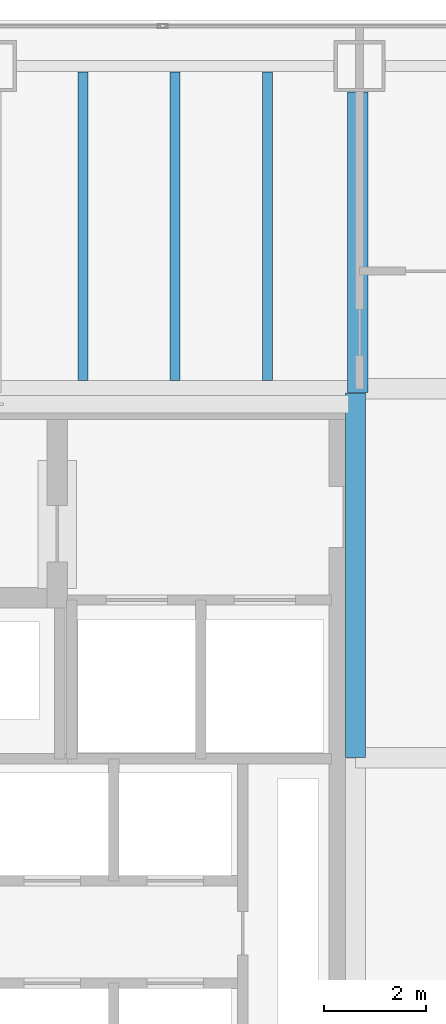
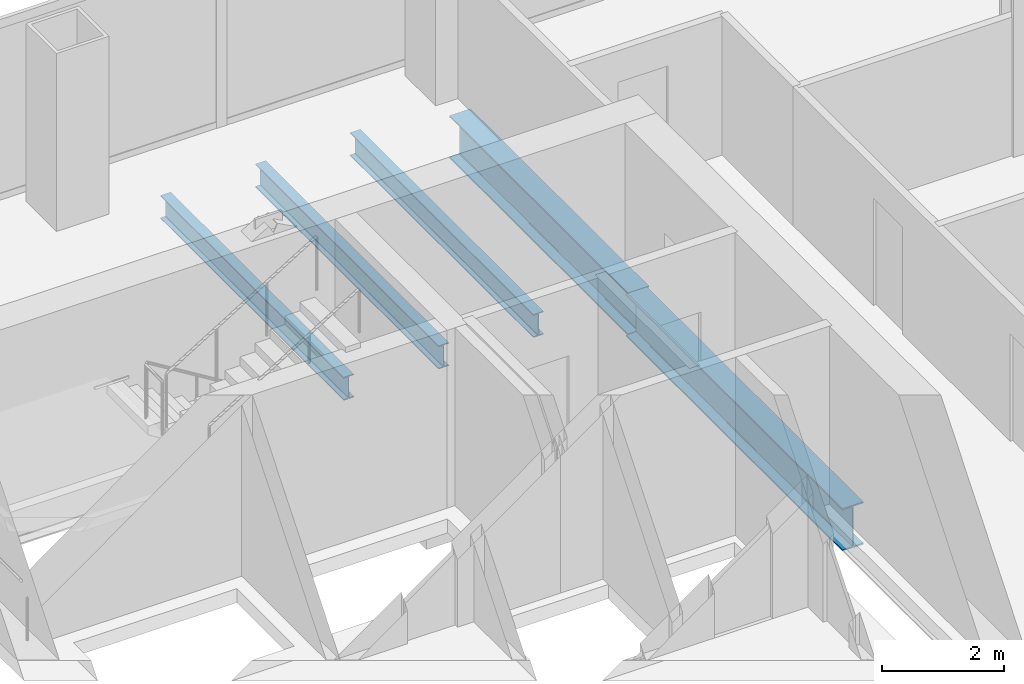
# One storey, part 15 of 23: 5 beams.
"""IFC4 building model written with IfcOpenShell, lengths in metres."""

import ifcopenshell
import ifcopenshell.guid

model = None  # the IFC model being written
_history = None  # IfcOwnerHistory: only IFC2X3 demands one
_inside = {}  # id of a spatial element -> (the spatial element, [elements in it])
_under = {}  # id of a project, library or spatial element -> (it, [spatial elements below it])
_declared = {}  # id of a project -> (the project, [libraries it declares])
_typed = {}  # id of a type object -> (the type object, [elements of that type])
_made_of = {}  # id of a material, layer set ... -> (it, [elements and type objects made of it])


def new_model(schema):
    """Start an empty IFC model of exactly this schema.

    Asked for "IFC4X3", IfcOpenShell would pick the latest addendum, in which some entities
    have other attributes; the version numbers below select the first issue.
    IFC2X3 requires an IfcOwnerHistory on every rooted entity: one is made here for all.
    """
    global model, _history
    if schema == "IFC4X3":
        model = ifcopenshell.file(schema_version=(4, 3, 0, 0))
    else:
        model = ifcopenshell.file(schema=schema)
    _inside.clear()
    _under.clear()
    _declared.clear()
    _typed.clear()
    _made_of.clear()
    _history = None
    if model.schema == "IFC2X3":
        org = make("IfcOrganization", Name="unknown")
        user = make(
            "IfcPersonAndOrganization",
            ThePerson=make("IfcPerson", FamilyName="unknown"),
            TheOrganization=org,
        )
        app = make(
            "IfcApplication",
            ApplicationDeveloper=org,
            Version="unknown",
            ApplicationFullName="unknown",
            ApplicationIdentifier="unknown",
        )
        _history = make(
            "IfcOwnerHistory",
            OwningUser=user,
            OwningApplication=app,
            ChangeAction="ADDED",
            CreationDate=0,
        )
    return model


def make(cls, **values):
    """One entity of the class cls with the attributes given. An attribute that is None is left unset."""
    return model.create_entity(
        cls, **{name: value for name, value in values.items() if value is not None}
    )


def rooted(cls, **values):
    """An entity with a GlobalId (a new one), such as an element, a storey or a relation."""
    return make(cls, GlobalId=ifcopenshell.guid.new(), OwnerHistory=_history, **values)


def si_unit(unit_type, name, prefix=None):
    """IfcSIUnit, for example si_unit("LENGTHUNIT", "METRE", prefix="MILLI")."""
    return make("IfcSIUnit", UnitType=unit_type, Prefix=prefix, Name=name)


def assignment(units):
    """IfcUnitAssignment: the units of a project."""
    return None if units is None else make("IfcUnitAssignment", Units=units)


def point(xyz):
    """IfcCartesianPoint."""
    return None if xyz is None else make("IfcCartesianPoint", Coordinates=xyz)


def direction(xyz):
    """IfcDirection."""
    return None if xyz is None else make("IfcDirection", DirectionRatios=xyz)


def frame(location, z_axis=None, x_axis=None):
    """IfcAxis2Placement3D, a coordinate frame: its origin and axes. An axis left out is left unset."""
    return make(
        "IfcAxis2Placement3D",
        Location=point(location),
        Axis=direction(z_axis),
        RefDirection=direction(x_axis),
    )


def frame_2d(location, x_axis=None):
    """IfcAxis2Placement2D, a coordinate frame in the plane: its origin and x axis."""
    return make(
        "IfcAxis2Placement2D", Location=point(location), RefDirection=direction(x_axis)
    )


def origin():
    """The frame at (0, 0, 0) with its axes left unset."""
    return frame((0.0, 0.0, 0.0))


def origin_2d():
    """The frame at (0, 0) in the plane with its x axis left unset."""
    return frame_2d((0.0, 0.0))


def place(relative_to, where):
    """IfcLocalPlacement: puts the frame where relative to a parent placement (None: the world)."""
    return make(
        "IfcLocalPlacement", PlacementRelTo=relative_to, RelativePlacement=where
    )


def context(
    kind, dimensions, precision=None, world=None, true_north=None, identifier=None
):
    """IfcGeometricRepresentationContext, for example the 3D "Model" context."""
    return make(
        "IfcGeometricRepresentationContext",
        ContextIdentifier=identifier,
        ContextType=kind,
        CoordinateSpaceDimension=dimensions,
        Precision=precision,
        WorldCoordinateSystem=world,
        TrueNorth=true_north,
    )


def subcontext(parent, identifier, kind, view, scale=None):
    """IfcGeometricRepresentationSubContext, for example "Body" below "Model"."""
    return make(
        "IfcGeometricRepresentationSubContext",
        ContextIdentifier=identifier,
        ContextType=kind,
        ParentContext=parent,
        TargetScale=scale,
        TargetView=view,
    )


def project(units=None, contexts=None):
    """IfcProject with its units and contexts."""
    return rooted(
        "IfcProject",
        Name="project",
        RepresentationContexts=contexts,
        UnitsInContext=assignment(units),
    )


def spatial(cls, under=None, at=None, **own):
    """A site, building, storey or space (cls), placed at a placement, below another one or the project."""
    s = rooted(cls, ObjectPlacement=at, **own)
    if under is not None:
        _under.setdefault(under.id(), (under, []))[1].append(s)
    return s


def profile(cls, at=None, kind="AREA", **sizes):
    """A parametric profile (cls). Its sizes go by their IFC names, for example OverallWidth=200.0."""
    return make(cls, ProfileType=kind, Position=at, **sizes)


def i_section(**sizes):
    """IfcIShapeProfileDef."""
    return profile("IfcIShapeProfileDef", **sizes)


def extrude(swept, where, along, depth):
    """IfcExtrudedAreaSolid: the profile swept, set in the frame where, extruded along a direction by depth."""
    return make(
        "IfcExtrudedAreaSolid",
        SweptArea=swept,
        Position=where,
        ExtrudedDirection=direction(along),
        Depth=depth,
    )


def shape(context_of_items, identifier, shape_type, items):
    """IfcShapeRepresentation: the items that make up one representation, for example the "Body"."""
    return make(
        "IfcShapeRepresentation",
        ContextOfItems=context_of_items,
        RepresentationIdentifier=identifier,
        RepresentationType=shape_type,
        Items=items,
    )


def material(Name=None, Category=None):
    """IfcMaterial."""
    return make("IfcMaterial", Name=Name, Category=Category)


def material_profile(
    of_material, cross_section, Name=None, Category=None, Priority=None
):
    """IfcMaterialProfile: a cross section and its material."""
    return make(
        "IfcMaterialProfile",
        Name=Name,
        Material=of_material,
        Profile=cross_section,
        Priority=Priority,
        Category=Category,
    )


def profile_set(profiles, Name=None, composite=None):
    """IfcMaterialProfileSet."""
    return make(
        "IfcMaterialProfileSet",
        Name=Name,
        MaterialProfiles=profiles,
        CompositeProfile=composite,
    )


def made_of(thing, what):
    """Note that an element or type object is made of a material, layer set ...; save() writes the relation."""
    if what is not None:
        _made_of.setdefault(what.id(), (what, []))[1].append(thing)
    return thing


def type_object(cls, material=None, **own):
    """A type object (cls), such as IfcWallType, which elements share."""
    return made_of(rooted(cls, **own), material)


def element(
    cls,
    number,
    at=None,
    inside=None,
    cuts=None,
    type_object=None,
    material=None,
    context=None,
    identifier="Body",
    shape_type=None,
    held_by="IfcProductDefinitionShape",
    body=None,
    shapes=None,
    **own,
):
    """One element of the class cls, such as IfcWall. Its Tag is "e" and its number.

    at: its placement. inside: the storey or other place that contains it. cuts: it is an
    opening in that element (IfcRelVoidsElement). A single representation is given by context,
    identifier, shape_type and body (its items); several are given by shapes. held_by: the class
    of the entity that holds the representations. save() writes the other relations.
    """
    e = rooted(cls, Tag="e%d" % number, ObjectPlacement=at, **own)
    if body is not None:
        shapes = [shape(context, identifier, shape_type, body)]
    if shapes is not None:
        e.Representation = make(held_by, Representations=shapes)
    if inside is not None:
        _inside.setdefault(inside.id(), (inside, []))[1].append(e)
    if cuts is not None:
        rooted(
            "IfcRelVoidsElement", RelatingBuildingElement=cuts, RelatedOpeningElement=e
        )
    if type_object is not None:
        _typed.setdefault(type_object.id(), (type_object, []))[1].append(e)
    return made_of(e, material)


def aggregate(whole, parts):
    """IfcRelAggregates: a whole, such as a stair, and the parts it consists of."""
    return rooted("IfcRelAggregates", RelatingObject=whole, RelatedObjects=parts)


def save(model, path):
    """Write the relations noted so far, then the file.

    IfcRelAggregates (storeys below a building ...), IfcRelContainedInSpatialStructure (elements
    in a storey), IfcRelDefinesByType, IfcRelAssociatesMaterial and IfcRelDeclares: one each for
    every whole, place, type object, material and project.
    """
    for whole, parts in _under.values():
        aggregate(whole, parts)
    for where, things in _inside.values():
        rooted(
            "IfcRelContainedInSpatialStructure",
            RelatedElements=things,
            RelatingStructure=where,
        )
    for kind, things in _typed.values():
        rooted("IfcRelDefinesByType", RelatedObjects=things, RelatingType=kind)
    for what, things in _made_of.values():
        rooted("IfcRelAssociatesMaterial", RelatedObjects=things, RelatingMaterial=what)
    for by, libraries in _declared.values():
        rooted("IfcRelDeclares", RelatingContext=by, RelatedDefinitions=libraries)
    model.write(path)


model = new_model("IFC4")

# Units and contexts
model_context = context("Model", 3, precision=1e-05, world=origin(), true_north=direction((0.0, 1.0)))
body_context = subcontext(model_context, "Body", "Model", "MODEL_VIEW")
ifc_project = project(units=[si_unit("LENGTHUNIT", "METRE"), si_unit("AREAUNIT", "SQUARE_METRE"), si_unit("VOLUMEUNIT", "CUBIC_METRE"), si_unit("PLANEANGLEUNIT", "RADIAN"), si_unit("MASSUNIT", "GRAM", prefix="KILO")], contexts=[model_context])

# Site, building, storey
site_placement = place(None, origin())
site = spatial("IfcSite", under=ifc_project, at=site_placement, CompositionType="ELEMENT")
building_placement = place(site_placement, origin())
building = spatial("IfcBuilding", under=site, at=building_placement, Name="Cobrela Telecom Tower", CompositionType="ELEMENT")
storey_placement = place(building_placement, frame((0.0, 0.0, 73.5)))
storey = spatial("IfcBuildingStorey", under=building, at=storey_placement, Name="L18", CompositionType="ELEMENT", Elevation=73.5)

# Beams
ifc_material = material(Name="Steel ASTM A992 Grade 50", Category="steel")
ifc_material_profile_1 = material_profile(ifc_material, i_section(OverallWidth=0.39892578125, OverallDepth=0.85595703125, WebThickness=0.018310546875, FlangeThickness=0.029296875, FilletRadius=0.02001953125, at=origin_2d()), Name="W33X201")
ifc_profile_set_1 = profile_set([ifc_material_profile_1], Name="Steel ASTM A992 Grade 50")
beam_type_1 = type_object("IfcBeamType", Name="BM-GIRD-03", PredefinedType="USERDEFINED", material=ifc_profile_set_1)
beam_1_placement = place(storey_placement, frame((14.320068359375, 28.804931640625, -0.7080078125), z_axis=(0.0, 1.0, 0.0), x_axis=(-1.0, 0.0, 0.0)))
element("IfcBeam", 1, at=beam_1_placement, inside=storey, type_object=beam_type_1, Name="L18 Primary Girder Y38", ObjectType="GIRDER", PredefinedType="USERDEFINED", context=body_context, shape_type="SweptSolid", body=[
    extrude(i_section(OverallWidth=0.39892578125, OverallDepth=0.85595703125, WebThickness=0.018310546875, FlangeThickness=0.029296875, FilletRadius=0.02001953125, at=origin_2d()), origin(), (0.0, 0.0, 1.0), 7.110107421875),
])
beam_2_placement = place(storey_placement, frame((14.360107421875, 35.925048828125, -0.7080078125), z_axis=(0.0, 1.0, 0.0), x_axis=(-1.0, 0.0, 0.0)))
element("IfcBeam", 2, at=beam_2_placement, inside=storey, type_object=beam_type_1, Name="L18 Primary Girder Y39", ObjectType="GIRDER", PredefinedType="USERDEFINED", context=body_context, shape_type="SweptSolid", body=[
    extrude(i_section(OverallWidth=0.39892578125, OverallDepth=0.85595703125, WebThickness=0.018310546875, FlangeThickness=0.029296875, FilletRadius=0.02001953125, at=origin_2d()), origin(), (0.0, 0.0, 1.0), 5.869873046875),
])
ifc_material_profile_2 = material_profile(ifc_material, i_section(OverallWidth=0.193115234375, OverallDepth=0.467041015625, WebThickness=0.011474609375, FlangeThickness=0.01904296875, FilletRadius=0.012939453125, at=origin_2d()), Name="W18X65")
ifc_profile_set_2 = profile_set([ifc_material_profile_2], Name="Steel ASTM A992 Grade 50")
beam_type_2 = type_object("IfcBeamType", Name="BM-JOIST-03", PredefinedType="JOIST", material=ifc_profile_set_2)
for number, where, z_axis, x_axis, name in (
    (3, (9.0, 36.16455078125, -0.513427734375), (0.0, 1.0, 0.0), (-1.0, 0.0, 0.0), "L18 Secondary Composite Floor Beam J02"),
    (4, (10.800048828125, 36.16455078125, -0.513427734375), (0.0, 1.0, 0.0), (-1.0, 0.0, 0.0), "L18 Secondary Composite Floor Beam J04"),
    (5, (12.60009765625, 36.16455078125, -0.513427734375), (0.0, 1.0, 0.0), (-1.0, 0.0, 0.0), "L18 Secondary Composite Floor Beam J06"),
):
    element("IfcBeam", number, at=place(storey_placement, frame(where, z_axis=z_axis, x_axis=x_axis)), inside=storey, type_object=beam_type_2, Name=name, PredefinedType="JOIST", context=body_context, shape_type="SweptSolid", body=[
        extrude(i_section(OverallWidth=0.193115234375, OverallDepth=0.467041015625, WebThickness=0.011474609375, FlangeThickness=0.01904296875, FilletRadius=0.012939453125, at=origin_2d()), origin(), (0.0, 0.0, 1.0), 6.02392578125),
    ])

save(model, "model.ifc")
